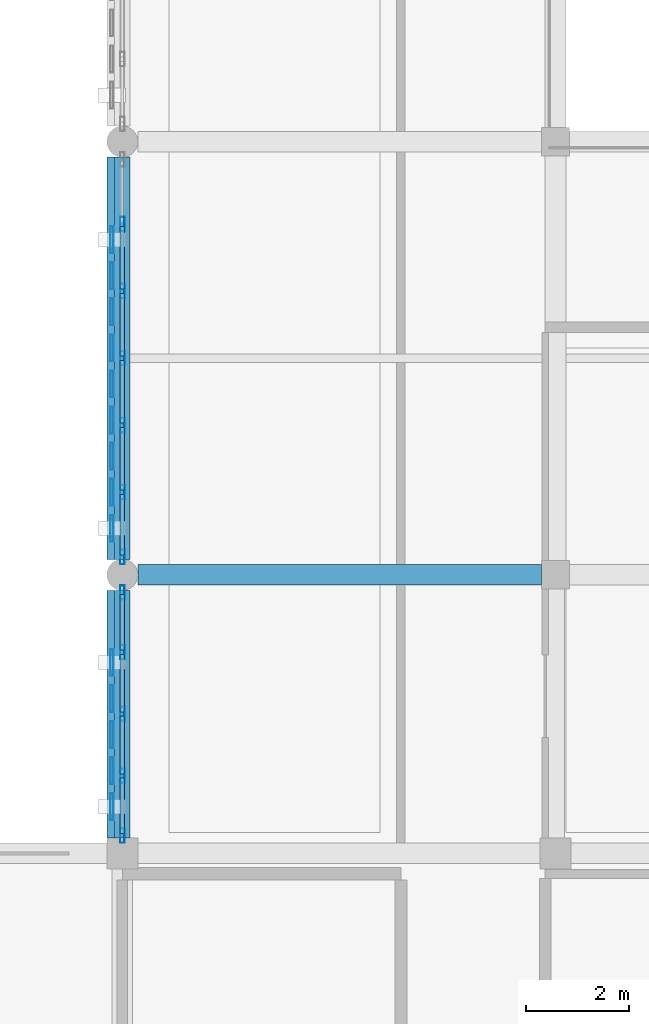
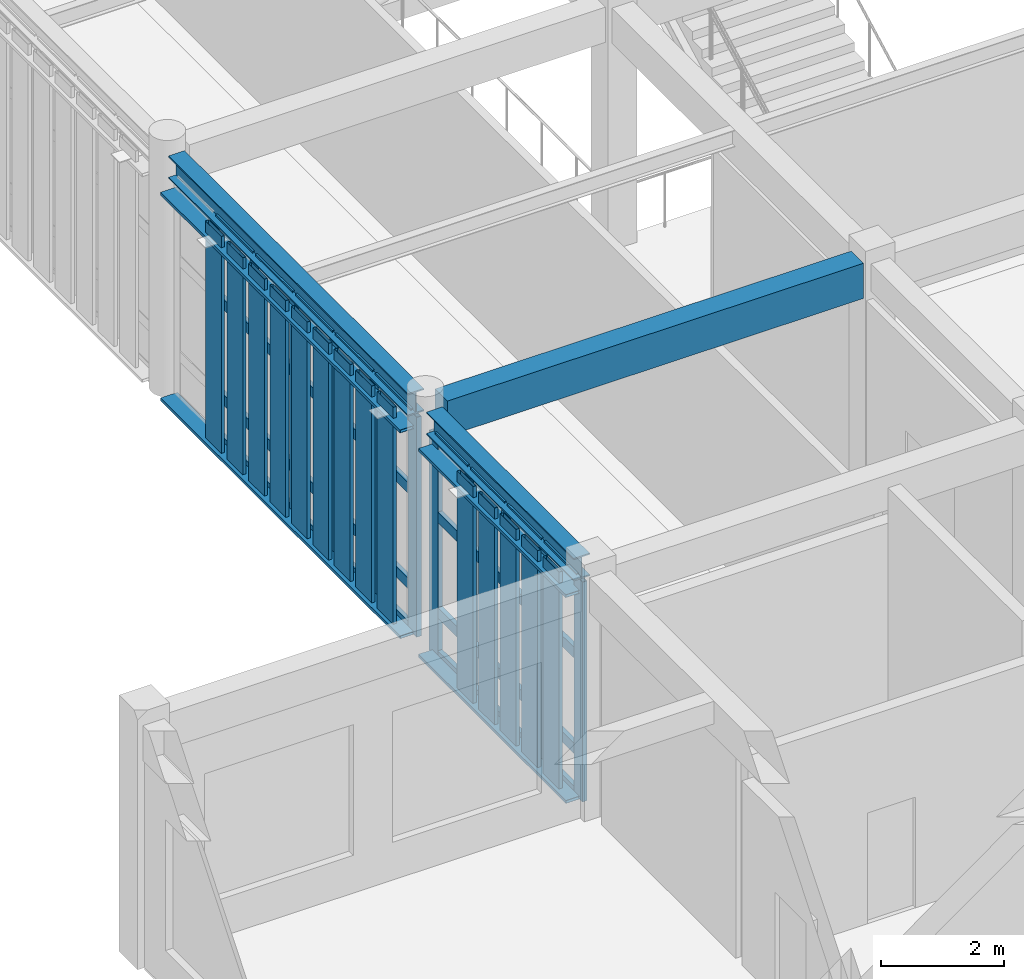
# One storey, part 15 of 93: 65 members, 3 beams, 2 elements without a shape of their own.
"""IFC4 building model written with IfcOpenShell, lengths in metres."""

from ifc_helpers import new_model, si_unit, direction, frame, origin, origin_2d, place, context, subcontext, project, spatial, rectangle, hollow_rectangle, i_section, extrude, material, layer, layer_set, material_profile, profile_set, type_object, element, aggregate, save


model = new_model("IFC4")

# Units and contexts
model_context = context("Model", 3, precision=1e-05, world=origin(), true_north=direction((0.0, 1.0)))
body_context = subcontext(model_context, "Body", "Model", "MODEL_VIEW")
ifc_project = project(units=[si_unit("LENGTHUNIT", "METRE"), si_unit("AREAUNIT", "SQUARE_METRE"), si_unit("VOLUMEUNIT", "CUBIC_METRE"), si_unit("PLANEANGLEUNIT", "RADIAN"), si_unit("MASSUNIT", "GRAM", prefix="KILO")], contexts=[model_context])

# Site, building, storey
site_placement = place(None, origin())
site = spatial("IfcSite", under=ifc_project, at=site_placement, CompositionType="ELEMENT")
building_placement = place(site_placement, origin())
building = spatial("IfcBuilding", under=site, at=building_placement, Name="Krzemoval Escarpment Law Courts", CompositionType="ELEMENT")
storey_placement = place(building_placement, frame((0.0, 0.0, 10.199951171875)))
storey = spatial("IfcBuildingStorey", under=building, at=storey_placement, Name="L02", CompositionType="ELEMENT", Elevation=10.199951171875)

# Beam
ifc_material_1 = material(Name="Concrete C40/50", Category="concrete")
ifc_material_profile_1 = material_profile(ifc_material_1, rectangle(XDim=0.39990234375, YDim=0.699951171875, at=origin_2d()), Name="RCB 400x700")
ifc_profile_set_1 = profile_set([ifc_material_profile_1], Name="Concrete C40/50")
beam_type_1 = type_object("IfcBeamType", Name="BM-RC-400x700", PredefinedType="BEAM", material=ifc_profile_set_1)
beam_1_placement = place(storey_placement, frame((8.699951171875, 40.800048828125, 4.469970703125), z_axis=(1.0, 0.0, 0.0), x_axis=(0.0, 1.0, 0.0)))
element("IfcBeam", 1, at=beam_1_placement, inside=storey, type_object=beam_type_1, Name="Beam FG-L02-1785", PredefinedType="BEAM", context=body_context, shape_type="SweptSolid", body=[
    extrude(rectangle(XDim=0.39990234375, YDim=0.699951171875, at=origin_2d()), origin(), (0.0, 0.0, 1.0), 7.824951171875),
])

# Curtain wall, members
ifc_material_2 = material(Name="Aluminium 6063-T6", Category="aluminium")
ifc_layer = layer(ifc_material_2, 0.280029296875)
ifc_layer_set = layer_set([ifc_layer], Name="Aluminium 6063-T6")
curtain_wall_type = type_object("IfcCurtainWallType", Name="CW-HALL-5100", PredefinedType="USERDEFINED", material=ifc_layer_set)
curtain_wall_1_placement = place(storey_placement, origin())
curtain_wall_1 = element("IfcCurtainWall", 2, at=curtain_wall_1_placement, inside=storey, type_object=curtain_wall_type, Name="Unitised Curtain Wall FCW-L02-064", ObjectType="UNITISED_CURTAIN_WALL", PredefinedType="USERDEFINED")
ifc_material_3 = material(Name="Aluminium 6063-T6", Category="aluminium")
ifc_material_profile_2 = material_profile(ifc_material_3, hollow_rectangle(XDim=0.0849609375, YDim=0.280029296875, WallThickness=0.005615234375, at=origin_2d()), Name="ALU M85x280")
ifc_profile_set_2 = profile_set([ifc_material_profile_2], Name="Aluminium 6063-T6")
member_type_1 = type_object("IfcMemberType", Name="CWM-85x280", PredefinedType="MULLION", material=ifc_profile_set_2)
member_1_placement = place(storey_placement, frame((8.39990234375, 35.742431640625, 0.0), z_axis=(0.0, 0.0, 1.0), x_axis=(-1.0, 0.0, 0.0)))
member_1 = element("IfcMember", 3, at=member_1_placement, type_object=member_type_1, Name="FCW-L02-064 mullion 1", PredefinedType="MULLION", context=body_context, shape_type="SweptSolid", body=[
    extrude(hollow_rectangle(XDim=0.0849609375, YDim=0.280029296875, WallThickness=0.005615234375, at=origin_2d()), origin(), (0.0, 0.0, 1.0), 4.3701171875),
])
member_2_placement = place(storey_placement, frame((8.39990234375, 36.89990234375, 0.0), z_axis=(0.0, 0.0, 1.0), x_axis=(-1.0, 0.0, 0.0)))
member_2 = element("IfcMember", 4, at=member_2_placement, type_object=member_type_1, Name="FCW-L02-064 mullion 2", PredefinedType="MULLION", context=body_context, shape_type="SweptSolid", body=[
    extrude(hollow_rectangle(XDim=0.0849609375, YDim=0.280029296875, WallThickness=0.005615234375, at=origin_2d()), origin(), (0.0, 0.0, 1.0), 4.3701171875),
])
member_3_placement = place(storey_placement, frame((8.39990234375, 38.10009765625, 0.0), z_axis=(0.0, 0.0, 1.0), x_axis=(-1.0, 0.0, 0.0)))
member_3 = element("IfcMember", 5, at=member_3_placement, type_object=member_type_1, Name="FCW-L02-064 mullion 3", PredefinedType="MULLION", context=body_context, shape_type="SweptSolid", body=[
    extrude(hollow_rectangle(XDim=0.0849609375, YDim=0.280029296875, WallThickness=0.005615234375, at=origin_2d()), origin(), (0.0, 0.0, 1.0), 4.3701171875),
])
member_4_placement = place(storey_placement, frame((8.39990234375, 39.300048828125, 0.0), z_axis=(0.0, 0.0, 1.0), x_axis=(-1.0, 0.0, 0.0)))
member_4 = element("IfcMember", 6, at=member_4_placement, type_object=member_type_1, Name="FCW-L02-064 mullion 4", PredefinedType="MULLION", context=body_context, shape_type="SweptSolid", body=[
    extrude(hollow_rectangle(XDim=0.0849609375, YDim=0.280029296875, WallThickness=0.005615234375, at=origin_2d()), origin(), (0.0, 0.0, 1.0), 4.3701171875),
])
member_5_placement = place(storey_placement, frame((8.39990234375, 40.45751953125, 0.0), z_axis=(0.0, 0.0, 1.0), x_axis=(-1.0, 0.0, 0.0)))
member_5 = element("IfcMember", 7, at=member_5_placement, type_object=member_type_1, Name="FCW-L02-064 mullion 5", PredefinedType="MULLION", context=body_context, shape_type="SweptSolid", body=[
    extrude(hollow_rectangle(XDim=0.0849609375, YDim=0.280029296875, WallThickness=0.005615234375, at=origin_2d()), origin(), (0.0, 0.0, 1.0), 4.3701171875),
])

curtain_wall_2_placement = place(storey_placement, origin())
curtain_wall_2 = element("IfcCurtainWall", 8, at=curtain_wall_2_placement, inside=storey, type_object=curtain_wall_type, Name="Unitised Curtain Wall FCW-L02-065", ObjectType="UNITISED_CURTAIN_WALL", PredefinedType="USERDEFINED")
member_6_placement = place(storey_placement, frame((8.39990234375, 41.142578125, 0.0), z_axis=(0.0, 0.0, 1.0), x_axis=(-1.0, 0.0, 0.0)))
member_6 = element("IfcMember", 9, at=member_6_placement, type_object=member_type_1, Name="FCW-L02-065 mullion 1", PredefinedType="MULLION", context=body_context, shape_type="SweptSolid", body=[
    extrude(hollow_rectangle(XDim=0.0849609375, YDim=0.280029296875, WallThickness=0.005615234375, at=origin_2d()), origin(), (0.0, 0.0, 1.0), 4.3701171875),
])
member_7_placement = place(storey_placement, frame((8.39990234375, 42.39990234375, 0.0), z_axis=(0.0, 0.0, 1.0), x_axis=(-1.0, 0.0, 0.0)))
member_7 = element("IfcMember", 10, at=member_7_placement, type_object=member_type_1, Name="FCW-L02-065 mullion 2", PredefinedType="MULLION", context=body_context, shape_type="SweptSolid", body=[
    extrude(hollow_rectangle(XDim=0.0849609375, YDim=0.280029296875, WallThickness=0.005615234375, at=origin_2d()), origin(), (0.0, 0.0, 1.0), 4.3701171875),
])
member_8_placement = place(storey_placement, frame((8.39990234375, 43.699951171875, 0.0), z_axis=(0.0, 0.0, 1.0), x_axis=(-1.0, 0.0, 0.0)))
member_8 = element("IfcMember", 11, at=member_8_placement, type_object=member_type_1, Name="FCW-L02-065 mullion 3", PredefinedType="MULLION", context=body_context, shape_type="SweptSolid", body=[
    extrude(hollow_rectangle(XDim=0.0849609375, YDim=0.280029296875, WallThickness=0.005615234375, at=origin_2d()), origin(), (0.0, 0.0, 1.0), 4.3701171875),
])
member_9_placement = place(storey_placement, frame((8.39990234375, 45.0, 0.0), z_axis=(0.0, 0.0, 1.0), x_axis=(-1.0, 0.0, 0.0)))
member_9 = element("IfcMember", 12, at=member_9_placement, type_object=member_type_1, Name="FCW-L02-065 mullion 4", PredefinedType="MULLION", context=body_context, shape_type="SweptSolid", body=[
    extrude(hollow_rectangle(XDim=0.0849609375, YDim=0.280029296875, WallThickness=0.005615234375, at=origin_2d()), origin(), (0.0, 0.0, 1.0), 4.3701171875),
])
member_10_placement = place(storey_placement, frame((8.39990234375, 46.300048828125, 0.0), z_axis=(0.0, 0.0, 1.0), x_axis=(-1.0, 0.0, 0.0)))
member_10 = element("IfcMember", 13, at=member_10_placement, type_object=member_type_1, Name="FCW-L02-065 mullion 5", PredefinedType="MULLION", context=body_context, shape_type="SweptSolid", body=[
    extrude(hollow_rectangle(XDim=0.0849609375, YDim=0.280029296875, WallThickness=0.005615234375, at=origin_2d()), origin(), (0.0, 0.0, 1.0), 4.3701171875),
])
member_11_placement = place(storey_placement, frame((8.39990234375, 47.60009765625, 0.0), z_axis=(0.0, 0.0, 1.0), x_axis=(-1.0, 0.0, 0.0)))
member_11 = element("IfcMember", 14, at=member_11_placement, type_object=member_type_1, Name="FCW-L02-065 mullion 6", PredefinedType="MULLION", context=body_context, shape_type="SweptSolid", body=[
    extrude(hollow_rectangle(XDim=0.0849609375, YDim=0.280029296875, WallThickness=0.005615234375, at=origin_2d()), origin(), (0.0, 0.0, 1.0), 4.3701171875),
])

# Member
ifc_material_4 = material(Name="Aluminium 6063-T6", Category="aluminium")
ifc_material_profile_3 = material_profile(ifc_material_4, hollow_rectangle(XDim=0.0849609375, YDim=0.2099609375, WallThickness=0.005615234375, at=origin_2d()), Name="ALU T85x210")
ifc_profile_set_3 = profile_set([ifc_material_profile_3], Name="Aluminium 6063-T6")
member_type_2 = type_object("IfcMemberType", Name="CWT-85x210", PredefinedType="USERDEFINED", material=ifc_profile_set_3)
member_12_placement = place(storey_placement, frame((8.39990234375, 35.784912109375, 0.04248046875), z_axis=(0.0, 1.0, 0.0), x_axis=(-1.0, 0.0, 0.0)))
member_12 = element("IfcMember", 15, at=member_12_placement, type_object=member_type_2, Name="FCW-L02-064 transom 1.1", ObjectType="TRANSOM", PredefinedType="USERDEFINED", context=body_context, shape_type="SweptSolid", body=[
    extrude(hollow_rectangle(XDim=0.0849609375, YDim=0.2099609375, WallThickness=0.005615234375, at=origin_2d()), origin(), (0.0, 0.0, 1.0), 1.072509765625),
])

member_13_placement = place(storey_placement, frame((8.39990234375, 35.784912109375, 0.900146484375), z_axis=(0.0, 1.0, 0.0), x_axis=(-1.0, 0.0, 0.0)))
member_13 = element("IfcMember", 16, at=member_13_placement, type_object=member_type_2, Name="FCW-L02-064 transom 1.2", ObjectType="TRANSOM", PredefinedType="USERDEFINED", context=body_context, shape_type="SweptSolid", body=[
    extrude(hollow_rectangle(XDim=0.0849609375, YDim=0.2099609375, WallThickness=0.005615234375, at=origin_2d()), origin(), (0.0, 0.0, 1.0), 1.072509765625),
])

member_14_placement = place(storey_placement, frame((8.39990234375, 35.784912109375, 2.800048828125), z_axis=(0.0, 1.0, 0.0), x_axis=(-1.0, 0.0, 0.0)))
member_14 = element("IfcMember", 17, at=member_14_placement, type_object=member_type_2, Name="FCW-L02-064 transom 1.3", ObjectType="TRANSOM", PredefinedType="USERDEFINED", context=body_context, shape_type="SweptSolid", body=[
    extrude(hollow_rectangle(XDim=0.0849609375, YDim=0.2099609375, WallThickness=0.005615234375, at=origin_2d()), origin(), (0.0, 0.0, 1.0), 1.072509765625),
])

member_15_placement = place(storey_placement, frame((8.39990234375, 35.784912109375, 4.32763671875), z_axis=(0.0, 1.0, 0.0), x_axis=(-1.0, 0.0, 0.0)))
member_15 = element("IfcMember", 18, at=member_15_placement, type_object=member_type_2, Name="FCW-L02-064 transom 1.4", ObjectType="TRANSOM", PredefinedType="USERDEFINED", context=body_context, shape_type="SweptSolid", body=[
    extrude(hollow_rectangle(XDim=0.0849609375, YDim=0.2099609375, WallThickness=0.005615234375, at=origin_2d()), origin(), (0.0, 0.0, 1.0), 1.072509765625),
])

member_16_placement = place(storey_placement, frame((8.39990234375, 36.9423828125, 0.04248046875), z_axis=(0.0, 1.0, 0.0), x_axis=(-1.0, 0.0, 0.0)))
member_16 = element("IfcMember", 19, at=member_16_placement, type_object=member_type_2, Name="FCW-L02-064 transom 2.1", ObjectType="TRANSOM", PredefinedType="USERDEFINED", context=body_context, shape_type="SweptSolid", body=[
    extrude(hollow_rectangle(XDim=0.0849609375, YDim=0.2099609375, WallThickness=0.005615234375, at=origin_2d()), origin(), (0.0, 0.0, 1.0), 1.115234375),
])

member_17_placement = place(storey_placement, frame((8.39990234375, 36.9423828125, 0.900146484375), z_axis=(0.0, 1.0, 0.0), x_axis=(-1.0, 0.0, 0.0)))
member_17 = element("IfcMember", 20, at=member_17_placement, type_object=member_type_2, Name="FCW-L02-064 transom 2.2", ObjectType="TRANSOM", PredefinedType="USERDEFINED", context=body_context, shape_type="SweptSolid", body=[
    extrude(hollow_rectangle(XDim=0.0849609375, YDim=0.2099609375, WallThickness=0.005615234375, at=origin_2d()), origin(), (0.0, 0.0, 1.0), 1.115234375),
])

member_18_placement = place(storey_placement, frame((8.39990234375, 36.9423828125, 2.800048828125), z_axis=(0.0, 1.0, 0.0), x_axis=(-1.0, 0.0, 0.0)))
member_18 = element("IfcMember", 21, at=member_18_placement, type_object=member_type_2, Name="FCW-L02-064 transom 2.3", ObjectType="TRANSOM", PredefinedType="USERDEFINED", context=body_context, shape_type="SweptSolid", body=[
    extrude(hollow_rectangle(XDim=0.0849609375, YDim=0.2099609375, WallThickness=0.005615234375, at=origin_2d()), origin(), (0.0, 0.0, 1.0), 1.115234375),
])

member_19_placement = place(storey_placement, frame((8.39990234375, 36.9423828125, 4.32763671875), z_axis=(0.0, 1.0, 0.0), x_axis=(-1.0, 0.0, 0.0)))
member_19 = element("IfcMember", 22, at=member_19_placement, type_object=member_type_2, Name="FCW-L02-064 transom 2.4", ObjectType="TRANSOM", PredefinedType="USERDEFINED", context=body_context, shape_type="SweptSolid", body=[
    extrude(hollow_rectangle(XDim=0.0849609375, YDim=0.2099609375, WallThickness=0.005615234375, at=origin_2d()), origin(), (0.0, 0.0, 1.0), 1.115234375),
])

member_20_placement = place(storey_placement, frame((8.39990234375, 38.142578125, 0.04248046875), z_axis=(0.0, 1.0, 0.0), x_axis=(-1.0, 0.0, 0.0)))
member_20 = element("IfcMember", 23, at=member_20_placement, type_object=member_type_2, Name="FCW-L02-064 transom 3.1", ObjectType="TRANSOM", PredefinedType="USERDEFINED", context=body_context, shape_type="SweptSolid", body=[
    extrude(hollow_rectangle(XDim=0.0849609375, YDim=0.2099609375, WallThickness=0.005615234375, at=origin_2d()), origin(), (0.0, 0.0, 1.0), 1.114990234375),
])

member_21_placement = place(storey_placement, frame((8.39990234375, 38.142578125, 0.900146484375), z_axis=(0.0, 1.0, 0.0), x_axis=(-1.0, 0.0, 0.0)))
member_21 = element("IfcMember", 24, at=member_21_placement, type_object=member_type_2, Name="FCW-L02-064 transom 3.2", ObjectType="TRANSOM", PredefinedType="USERDEFINED", context=body_context, shape_type="SweptSolid", body=[
    extrude(hollow_rectangle(XDim=0.0849609375, YDim=0.2099609375, WallThickness=0.005615234375, at=origin_2d()), origin(), (0.0, 0.0, 1.0), 1.114990234375),
])

member_22_placement = place(storey_placement, frame((8.39990234375, 38.142578125, 2.800048828125), z_axis=(0.0, 1.0, 0.0), x_axis=(-1.0, 0.0, 0.0)))
member_22 = element("IfcMember", 25, at=member_22_placement, type_object=member_type_2, Name="FCW-L02-064 transom 3.3", ObjectType="TRANSOM", PredefinedType="USERDEFINED", context=body_context, shape_type="SweptSolid", body=[
    extrude(hollow_rectangle(XDim=0.0849609375, YDim=0.2099609375, WallThickness=0.005615234375, at=origin_2d()), origin(), (0.0, 0.0, 1.0), 1.114990234375),
])

member_23_placement = place(storey_placement, frame((8.39990234375, 38.142578125, 4.32763671875), z_axis=(0.0, 1.0, 0.0), x_axis=(-1.0, 0.0, 0.0)))
member_23 = element("IfcMember", 26, at=member_23_placement, type_object=member_type_2, Name="FCW-L02-064 transom 3.4", ObjectType="TRANSOM", PredefinedType="USERDEFINED", context=body_context, shape_type="SweptSolid", body=[
    extrude(hollow_rectangle(XDim=0.0849609375, YDim=0.2099609375, WallThickness=0.005615234375, at=origin_2d()), origin(), (0.0, 0.0, 1.0), 1.114990234375),
])

member_24_placement = place(storey_placement, frame((8.39990234375, 39.342529296875, 0.04248046875), z_axis=(0.0, 1.0, 0.0), x_axis=(-1.0, 0.0, 0.0)))
member_24 = element("IfcMember", 27, at=member_24_placement, type_object=member_type_2, Name="FCW-L02-064 transom 4.1", ObjectType="TRANSOM", PredefinedType="USERDEFINED", context=body_context, shape_type="SweptSolid", body=[
    extrude(hollow_rectangle(XDim=0.0849609375, YDim=0.2099609375, WallThickness=0.005615234375, at=origin_2d()), origin(), (0.0, 0.0, 1.0), 1.072509765625),
])

member_25_placement = place(storey_placement, frame((8.39990234375, 39.342529296875, 0.900146484375), z_axis=(0.0, 1.0, 0.0), x_axis=(-1.0, 0.0, 0.0)))
member_25 = element("IfcMember", 28, at=member_25_placement, type_object=member_type_2, Name="FCW-L02-064 transom 4.2", ObjectType="TRANSOM", PredefinedType="USERDEFINED", context=body_context, shape_type="SweptSolid", body=[
    extrude(hollow_rectangle(XDim=0.0849609375, YDim=0.2099609375, WallThickness=0.005615234375, at=origin_2d()), origin(), (0.0, 0.0, 1.0), 1.072509765625),
])

member_26_placement = place(storey_placement, frame((8.39990234375, 39.342529296875, 2.800048828125), z_axis=(0.0, 1.0, 0.0), x_axis=(-1.0, 0.0, 0.0)))
member_26 = element("IfcMember", 29, at=member_26_placement, type_object=member_type_2, Name="FCW-L02-064 transom 4.3", ObjectType="TRANSOM", PredefinedType="USERDEFINED", context=body_context, shape_type="SweptSolid", body=[
    extrude(hollow_rectangle(XDim=0.0849609375, YDim=0.2099609375, WallThickness=0.005615234375, at=origin_2d()), origin(), (0.0, 0.0, 1.0), 1.072509765625),
])

member_27_placement = place(storey_placement, frame((8.39990234375, 39.342529296875, 4.32763671875), z_axis=(0.0, 1.0, 0.0), x_axis=(-1.0, 0.0, 0.0)))
member_27 = element("IfcMember", 30, at=member_27_placement, type_object=member_type_2, Name="FCW-L02-064 transom 4.4", ObjectType="TRANSOM", PredefinedType="USERDEFINED", context=body_context, shape_type="SweptSolid", body=[
    extrude(hollow_rectangle(XDim=0.0849609375, YDim=0.2099609375, WallThickness=0.005615234375, at=origin_2d()), origin(), (0.0, 0.0, 1.0), 1.072509765625),
])

aggregate(curtain_wall_1, [member_1, member_2, member_3, member_4, member_5, member_12, member_13, member_14, member_15, member_16, member_17, member_18, member_19, member_20, member_21, member_22, member_23, member_24, member_25, member_26, member_27])

member_28_placement = place(storey_placement, frame((8.39990234375, 41.18505859375, 0.04248046875), z_axis=(0.0, 1.0, 0.0), x_axis=(-1.0, 0.0, 0.0)))
member_28 = element("IfcMember", 31, at=member_28_placement, type_object=member_type_2, Name="FCW-L02-065 transom 1.1", ObjectType="TRANSOM", PredefinedType="USERDEFINED", context=body_context, shape_type="SweptSolid", body=[
    extrude(hollow_rectangle(XDim=0.0849609375, YDim=0.2099609375, WallThickness=0.005615234375, at=origin_2d()), origin(), (0.0, 0.0, 1.0), 1.17236328125),
])

member_29_placement = place(storey_placement, frame((8.39990234375, 41.18505859375, 0.900146484375), z_axis=(0.0, 1.0, 0.0), x_axis=(-1.0, 0.0, 0.0)))
member_29 = element("IfcMember", 32, at=member_29_placement, type_object=member_type_2, Name="FCW-L02-065 transom 1.2", ObjectType="TRANSOM", PredefinedType="USERDEFINED", context=body_context, shape_type="SweptSolid", body=[
    extrude(hollow_rectangle(XDim=0.0849609375, YDim=0.2099609375, WallThickness=0.005615234375, at=origin_2d()), origin(), (0.0, 0.0, 1.0), 1.17236328125),
])

member_30_placement = place(storey_placement, frame((8.39990234375, 41.18505859375, 2.800048828125), z_axis=(0.0, 1.0, 0.0), x_axis=(-1.0, 0.0, 0.0)))
member_30 = element("IfcMember", 33, at=member_30_placement, type_object=member_type_2, Name="FCW-L02-065 transom 1.3", ObjectType="TRANSOM", PredefinedType="USERDEFINED", context=body_context, shape_type="SweptSolid", body=[
    extrude(hollow_rectangle(XDim=0.0849609375, YDim=0.2099609375, WallThickness=0.005615234375, at=origin_2d()), origin(), (0.0, 0.0, 1.0), 1.17236328125),
])

member_31_placement = place(storey_placement, frame((8.39990234375, 41.18505859375, 4.32763671875), z_axis=(0.0, 1.0, 0.0), x_axis=(-1.0, 0.0, 0.0)))
member_31 = element("IfcMember", 34, at=member_31_placement, type_object=member_type_2, Name="FCW-L02-065 transom 1.4", ObjectType="TRANSOM", PredefinedType="USERDEFINED", context=body_context, shape_type="SweptSolid", body=[
    extrude(hollow_rectangle(XDim=0.0849609375, YDim=0.2099609375, WallThickness=0.005615234375, at=origin_2d()), origin(), (0.0, 0.0, 1.0), 1.17236328125),
])

member_32_placement = place(storey_placement, frame((8.39990234375, 42.4423828125, 0.04248046875), z_axis=(0.0, 1.0, 0.0), x_axis=(-1.0, 0.0, 0.0)))
member_32 = element("IfcMember", 35, at=member_32_placement, type_object=member_type_2, Name="FCW-L02-065 transom 2.1", ObjectType="TRANSOM", PredefinedType="USERDEFINED", context=body_context, shape_type="SweptSolid", body=[
    extrude(hollow_rectangle(XDim=0.0849609375, YDim=0.2099609375, WallThickness=0.005615234375, at=origin_2d()), origin(), (0.0, 0.0, 1.0), 1.215087890625),
])

member_33_placement = place(storey_placement, frame((8.39990234375, 42.4423828125, 0.900146484375), z_axis=(0.0, 1.0, 0.0), x_axis=(-1.0, 0.0, 0.0)))
member_33 = element("IfcMember", 36, at=member_33_placement, type_object=member_type_2, Name="FCW-L02-065 transom 2.2", ObjectType="TRANSOM", PredefinedType="USERDEFINED", context=body_context, shape_type="SweptSolid", body=[
    extrude(hollow_rectangle(XDim=0.0849609375, YDim=0.2099609375, WallThickness=0.005615234375, at=origin_2d()), origin(), (0.0, 0.0, 1.0), 1.215087890625),
])

member_34_placement = place(storey_placement, frame((8.39990234375, 42.4423828125, 2.800048828125), z_axis=(0.0, 1.0, 0.0), x_axis=(-1.0, 0.0, 0.0)))
member_34 = element("IfcMember", 37, at=member_34_placement, type_object=member_type_2, Name="FCW-L02-065 transom 2.3", ObjectType="TRANSOM", PredefinedType="USERDEFINED", context=body_context, shape_type="SweptSolid", body=[
    extrude(hollow_rectangle(XDim=0.0849609375, YDim=0.2099609375, WallThickness=0.005615234375, at=origin_2d()), origin(), (0.0, 0.0, 1.0), 1.215087890625),
])

member_35_placement = place(storey_placement, frame((8.39990234375, 42.4423828125, 4.32763671875), z_axis=(0.0, 1.0, 0.0), x_axis=(-1.0, 0.0, 0.0)))
member_35 = element("IfcMember", 38, at=member_35_placement, type_object=member_type_2, Name="FCW-L02-065 transom 2.4", ObjectType="TRANSOM", PredefinedType="USERDEFINED", context=body_context, shape_type="SweptSolid", body=[
    extrude(hollow_rectangle(XDim=0.0849609375, YDim=0.2099609375, WallThickness=0.005615234375, at=origin_2d()), origin(), (0.0, 0.0, 1.0), 1.215087890625),
])

member_36_placement = place(storey_placement, frame((8.39990234375, 43.742431640625, 0.04248046875), z_axis=(0.0, 1.0, 0.0), x_axis=(-1.0, 0.0, 0.0)))
member_36 = element("IfcMember", 39, at=member_36_placement, type_object=member_type_2, Name="FCW-L02-065 transom 3.1", ObjectType="TRANSOM", PredefinedType="USERDEFINED", context=body_context, shape_type="SweptSolid", body=[
    extrude(hollow_rectangle(XDim=0.0849609375, YDim=0.2099609375, WallThickness=0.005615234375, at=origin_2d()), origin(), (0.0, 0.0, 1.0), 1.215087890625),
])

member_37_placement = place(storey_placement, frame((8.39990234375, 43.742431640625, 0.900146484375), z_axis=(0.0, 1.0, 0.0), x_axis=(-1.0, 0.0, 0.0)))
member_37 = element("IfcMember", 40, at=member_37_placement, type_object=member_type_2, Name="FCW-L02-065 transom 3.2", ObjectType="TRANSOM", PredefinedType="USERDEFINED", context=body_context, shape_type="SweptSolid", body=[
    extrude(hollow_rectangle(XDim=0.0849609375, YDim=0.2099609375, WallThickness=0.005615234375, at=origin_2d()), origin(), (0.0, 0.0, 1.0), 1.215087890625),
])

member_38_placement = place(storey_placement, frame((8.39990234375, 43.742431640625, 2.800048828125), z_axis=(0.0, 1.0, 0.0), x_axis=(-1.0, 0.0, 0.0)))
member_38 = element("IfcMember", 41, at=member_38_placement, type_object=member_type_2, Name="FCW-L02-065 transom 3.3", ObjectType="TRANSOM", PredefinedType="USERDEFINED", context=body_context, shape_type="SweptSolid", body=[
    extrude(hollow_rectangle(XDim=0.0849609375, YDim=0.2099609375, WallThickness=0.005615234375, at=origin_2d()), origin(), (0.0, 0.0, 1.0), 1.215087890625),
])

member_39_placement = place(storey_placement, frame((8.39990234375, 43.742431640625, 4.32763671875), z_axis=(0.0, 1.0, 0.0), x_axis=(-1.0, 0.0, 0.0)))
member_39 = element("IfcMember", 42, at=member_39_placement, type_object=member_type_2, Name="FCW-L02-065 transom 3.4", ObjectType="TRANSOM", PredefinedType="USERDEFINED", context=body_context, shape_type="SweptSolid", body=[
    extrude(hollow_rectangle(XDim=0.0849609375, YDim=0.2099609375, WallThickness=0.005615234375, at=origin_2d()), origin(), (0.0, 0.0, 1.0), 1.215087890625),
])

member_40_placement = place(storey_placement, frame((8.39990234375, 45.04248046875, 0.04248046875), z_axis=(0.0, 1.0, 0.0), x_axis=(-1.0, 0.0, 0.0)))
member_40 = element("IfcMember", 43, at=member_40_placement, type_object=member_type_2, Name="FCW-L02-065 transom 4.1", ObjectType="TRANSOM", PredefinedType="USERDEFINED", context=body_context, shape_type="SweptSolid", body=[
    extrude(hollow_rectangle(XDim=0.0849609375, YDim=0.2099609375, WallThickness=0.005615234375, at=origin_2d()), origin(), (0.0, 0.0, 1.0), 1.215087890625),
])

member_41_placement = place(storey_placement, frame((8.39990234375, 45.04248046875, 0.900146484375), z_axis=(0.0, 1.0, 0.0), x_axis=(-1.0, 0.0, 0.0)))
member_41 = element("IfcMember", 44, at=member_41_placement, type_object=member_type_2, Name="FCW-L02-065 transom 4.2", ObjectType="TRANSOM", PredefinedType="USERDEFINED", context=body_context, shape_type="SweptSolid", body=[
    extrude(hollow_rectangle(XDim=0.0849609375, YDim=0.2099609375, WallThickness=0.005615234375, at=origin_2d()), origin(), (0.0, 0.0, 1.0), 1.215087890625),
])

member_42_placement = place(storey_placement, frame((8.39990234375, 45.04248046875, 2.800048828125), z_axis=(0.0, 1.0, 0.0), x_axis=(-1.0, 0.0, 0.0)))
member_42 = element("IfcMember", 45, at=member_42_placement, type_object=member_type_2, Name="FCW-L02-065 transom 4.3", ObjectType="TRANSOM", PredefinedType="USERDEFINED", context=body_context, shape_type="SweptSolid", body=[
    extrude(hollow_rectangle(XDim=0.0849609375, YDim=0.2099609375, WallThickness=0.005615234375, at=origin_2d()), origin(), (0.0, 0.0, 1.0), 1.215087890625),
])

member_43_placement = place(storey_placement, frame((8.39990234375, 45.04248046875, 4.32763671875), z_axis=(0.0, 1.0, 0.0), x_axis=(-1.0, 0.0, 0.0)))
member_43 = element("IfcMember", 46, at=member_43_placement, type_object=member_type_2, Name="FCW-L02-065 transom 4.4", ObjectType="TRANSOM", PredefinedType="USERDEFINED", context=body_context, shape_type="SweptSolid", body=[
    extrude(hollow_rectangle(XDim=0.0849609375, YDim=0.2099609375, WallThickness=0.005615234375, at=origin_2d()), origin(), (0.0, 0.0, 1.0), 1.215087890625),
])

member_44_placement = place(storey_placement, frame((8.39990234375, 46.342529296875, 0.04248046875), z_axis=(0.0, 1.0, 0.0), x_axis=(-1.0, 0.0, 0.0)))
member_44 = element("IfcMember", 47, at=member_44_placement, type_object=member_type_2, Name="FCW-L02-065 transom 5.1", ObjectType="TRANSOM", PredefinedType="USERDEFINED", context=body_context, shape_type="SweptSolid", body=[
    extrude(hollow_rectangle(XDim=0.0849609375, YDim=0.2099609375, WallThickness=0.005615234375, at=origin_2d()), origin(), (0.0, 0.0, 1.0), 1.215087890625),
])

member_45_placement = place(storey_placement, frame((8.39990234375, 46.342529296875, 0.900146484375), z_axis=(0.0, 1.0, 0.0), x_axis=(-1.0, 0.0, 0.0)))
member_45 = element("IfcMember", 48, at=member_45_placement, type_object=member_type_2, Name="FCW-L02-065 transom 5.2", ObjectType="TRANSOM", PredefinedType="USERDEFINED", context=body_context, shape_type="SweptSolid", body=[
    extrude(hollow_rectangle(XDim=0.0849609375, YDim=0.2099609375, WallThickness=0.005615234375, at=origin_2d()), origin(), (0.0, 0.0, 1.0), 1.215087890625),
])

member_46_placement = place(storey_placement, frame((8.39990234375, 46.342529296875, 2.800048828125), z_axis=(0.0, 1.0, 0.0), x_axis=(-1.0, 0.0, 0.0)))
member_46 = element("IfcMember", 49, at=member_46_placement, type_object=member_type_2, Name="FCW-L02-065 transom 5.3", ObjectType="TRANSOM", PredefinedType="USERDEFINED", context=body_context, shape_type="SweptSolid", body=[
    extrude(hollow_rectangle(XDim=0.0849609375, YDim=0.2099609375, WallThickness=0.005615234375, at=origin_2d()), origin(), (0.0, 0.0, 1.0), 1.215087890625),
])

member_47_placement = place(storey_placement, frame((8.39990234375, 46.342529296875, 4.32763671875), z_axis=(0.0, 1.0, 0.0), x_axis=(-1.0, 0.0, 0.0)))
member_47 = element("IfcMember", 50, at=member_47_placement, type_object=member_type_2, Name="FCW-L02-065 transom 5.4", ObjectType="TRANSOM", PredefinedType="USERDEFINED", context=body_context, shape_type="SweptSolid", body=[
    extrude(hollow_rectangle(XDim=0.0849609375, YDim=0.2099609375, WallThickness=0.005615234375, at=origin_2d()), origin(), (0.0, 0.0, 1.0), 1.215087890625),
])

aggregate(curtain_wall_2, [member_6, member_7, member_8, member_9, member_10, member_11, member_28, member_29, member_30, member_31, member_32, member_33, member_34, member_35, member_36, member_37, member_38, member_39, member_40, member_41, member_42, member_43, member_44, member_45, member_46, member_47])

# Members
ifc_material_5 = material(Name="Anodised Aluminium Alloy 6063-T6", Category="aluminium")
ifc_material_profile_4 = material_profile(ifc_material_5, hollow_rectangle(XDim=0.06005859375, YDim=0.320068359375, WallThickness=0.00390625, at=origin_2d()), Name="ALU LVR 60x320")
ifc_profile_set_4 = profile_set([ifc_material_profile_4], Name="Anodised Aluminium Alloy 6063-T6")
member_type_3 = type_object("IfcMemberType", Name="LVR-ALU-320", PredefinedType="USERDEFINED", material=ifc_profile_set_4)
for number, where, z_axis, x_axis, name in (
    (51, (8.260009765625, 35.699951171875, 0.030029296875), (0.0, 1.0, 0.0), (0.0, 0.0, 1.0), "Sunshade Support Rail FSR-L02-0367"),
    (52, (8.260009765625, 35.699951171875, 4.1201171875), (0.0, 1.0, 0.0), (0.0, 0.0, 1.0), "Sunshade Support Rail FSR-L02-0368"),
):
    element("IfcMember", number, at=place(storey_placement, frame(where, z_axis=z_axis, x_axis=x_axis)), inside=storey, type_object=member_type_3, Name=name, ObjectType="SUNSHADE_LOUVRE", PredefinedType="USERDEFINED", context=body_context, shape_type="SweptSolid", body=[
        extrude(hollow_rectangle(XDim=0.06005859375, YDim=0.320068359375, WallThickness=0.00390625, at=origin_2d()), origin(), (0.0, 0.0, 1.0), 4.800048828125),
    ])
for number, where, z_axis, x_axis, name in (
    (53, (8.260009765625, 41.10009765625, 0.030029296875), (0.0, 1.0, 0.0), (0.0, 0.0, 1.0), "Sunshade Support Rail FSR-L02-0374"),
    (54, (8.260009765625, 41.10009765625, 4.1201171875), (0.0, 1.0, 0.0), (0.0, 0.0, 1.0), "Sunshade Support Rail FSR-L02-0375"),
):
    element("IfcMember", number, at=place(storey_placement, frame(where, z_axis=z_axis, x_axis=x_axis)), inside=storey, type_object=member_type_3, Name=name, ObjectType="SUNSHADE_LOUVRE", PredefinedType="USERDEFINED", context=body_context, shape_type="SweptSolid", body=[
        extrude(hollow_rectangle(XDim=0.06005859375, YDim=0.320068359375, WallThickness=0.00390625, at=origin_2d()), origin(), (0.0, 0.0, 1.0), 7.7998046875),
    ])
ifc_material_6 = material(Name="Anodised Aluminium Alloy 6063-T6", Category="aluminium")
ifc_material_profile_5 = material_profile(ifc_material_6, hollow_rectangle(XDim=0.06494140625, YDim=0.52001953125, WallThickness=0.00439453125, at=origin_2d()), Name="ALU LVR 65x520")
ifc_profile_set_5 = profile_set([ifc_material_profile_5], Name="Anodised Aluminium Alloy 6063-T6")
member_type_4 = type_object("IfcMemberType", Name="LVR-ALU-520", PredefinedType="USERDEFINED", material=ifc_profile_set_5)
for number, where, z_axis, x_axis, name in (
    (55, (8.199951171875, 36.300048828125, 0.06005859375), (0.0, 0.0, 1.0), (1.0, 0.0, 0.0), "Sunshade Louvre Fin FLV-L02-0369"),
    (56, (8.199951171875, 37.0, 0.06005859375), (0.0, 0.0, 1.0), (1.0, 0.0, 0.0), "Sunshade Louvre Fin FLV-L02-0370"),
    (57, (8.199951171875, 37.699951171875, 0.06005859375), (0.0, 0.0, 1.0), (1.0, 0.0, 0.0), "Sunshade Louvre Fin FLV-L02-0371"),
    (58, (8.199951171875, 38.39990234375, 0.06005859375), (0.0, 0.0, 1.0), (1.0, 0.0, 0.0), "Sunshade Louvre Fin FLV-L02-0372"),
    (59, (8.199951171875, 39.10009765625, 0.06005859375), (0.0, 0.0, 1.0), (1.0, 0.0, 0.0), "Sunshade Louvre Fin FLV-L02-0373"),
    (60, (8.199951171875, 41.699951171875, 0.06005859375), (0.0, 0.0, 1.0), (1.0, 0.0, 0.0), "Sunshade Louvre Fin FLV-L02-0376"),
    (61, (8.199951171875, 42.39990234375, 0.06005859375), (0.0, 0.0, 1.0), (1.0, 0.0, 0.0), "Sunshade Louvre Fin FLV-L02-0377"),
    (62, (8.199951171875, 43.10009765625, 0.06005859375), (0.0, 0.0, 1.0), (1.0, 0.0, 0.0), "Sunshade Louvre Fin FLV-L02-0378"),
    (63, (8.199951171875, 43.800048828125, 0.06005859375), (0.0, 0.0, 1.0), (1.0, 0.0, 0.0), "Sunshade Louvre Fin FLV-L02-0379"),
    (64, (8.199951171875, 44.5, 0.06005859375), (0.0, 0.0, 1.0), (1.0, 0.0, 0.0), "Sunshade Louvre Fin FLV-L02-0380"),
    (65, (8.199951171875, 45.199951171875, 0.06005859375), (0.0, 0.0, 1.0), (1.0, 0.0, 0.0), "Sunshade Louvre Fin FLV-L02-0381"),
    (66, (8.199951171875, 45.89990234375, 0.06005859375), (0.0, 0.0, 1.0), (1.0, 0.0, 0.0), "Sunshade Louvre Fin FLV-L02-0382"),
    (67, (8.199951171875, 46.60009765625, 0.06005859375), (0.0, 0.0, 1.0), (1.0, 0.0, 0.0), "Sunshade Louvre Fin FLV-L02-0383"),
    (68, (8.199951171875, 47.300048828125, 0.06005859375), (0.0, 0.0, 1.0), (1.0, 0.0, 0.0), "Sunshade Louvre Fin FLV-L02-0384"),
):
    element("IfcMember", number, at=place(storey_placement, frame(where, z_axis=z_axis, x_axis=x_axis)), inside=storey, type_object=member_type_4, Name=name, ObjectType="SUNSHADE_LOUVRE", PredefinedType="USERDEFINED", context=body_context, shape_type="SweptSolid", body=[
        extrude(hollow_rectangle(XDim=0.06494140625, YDim=0.52001953125, WallThickness=0.00439453125, at=origin_2d()), origin(), (0.0, 0.0, 1.0), 4.31005859375),
    ])

# Beams
ifc_material_7 = material(Name="Steel S355", Category="steel")
ifc_material_profile_6 = material_profile(ifc_material_7, i_section(OverallWidth=0.300048828125, OverallDepth=0.449951171875, WebThickness=0.013916015625, FlangeThickness=0.02587890625, at=origin_2d()), Name="HEB 450")
ifc_profile_set_6 = profile_set([ifc_material_profile_6], Name="Steel S355")
beam_type_2 = type_object("IfcBeamType", Name="SPN-S355-HEB450", PredefinedType="SPANDREL", material=ifc_profile_set_6)
beam_2_placement = place(storey_placement, frame((8.39990234375, 35.699951171875, 4.594970703125), z_axis=(0.0, 1.0, 0.0), x_axis=(-1.0, 0.0, 0.0)))
element("IfcBeam", 69, at=beam_2_placement, inside=storey, type_object=beam_type_2, Name="Beam FG-L02-1860", PredefinedType="SPANDREL", context=body_context, shape_type="SweptSolid", body=[
    extrude(i_section(OverallWidth=0.300048828125, OverallDepth=0.449951171875, WebThickness=0.013916015625, FlangeThickness=0.02587890625, at=origin_2d()), origin(), (0.0, 0.0, 1.0), 4.800048828125),
])
beam_3_placement = place(storey_placement, frame((8.39990234375, 41.10009765625, 4.594970703125), z_axis=(0.0, 1.0, 0.0), x_axis=(-1.0, 0.0, 0.0)))
element("IfcBeam", 70, at=beam_3_placement, inside=storey, type_object=beam_type_2, Name="Beam FG-L02-1861", PredefinedType="SPANDREL", context=body_context, shape_type="SweptSolid", body=[
    extrude(i_section(OverallWidth=0.300048828125, OverallDepth=0.449951171875, WebThickness=0.013916015625, FlangeThickness=0.02587890625, at=origin_2d()), origin(), (0.0, 0.0, 1.0), 7.7998046875),
])

save(model, "model.ifc")
